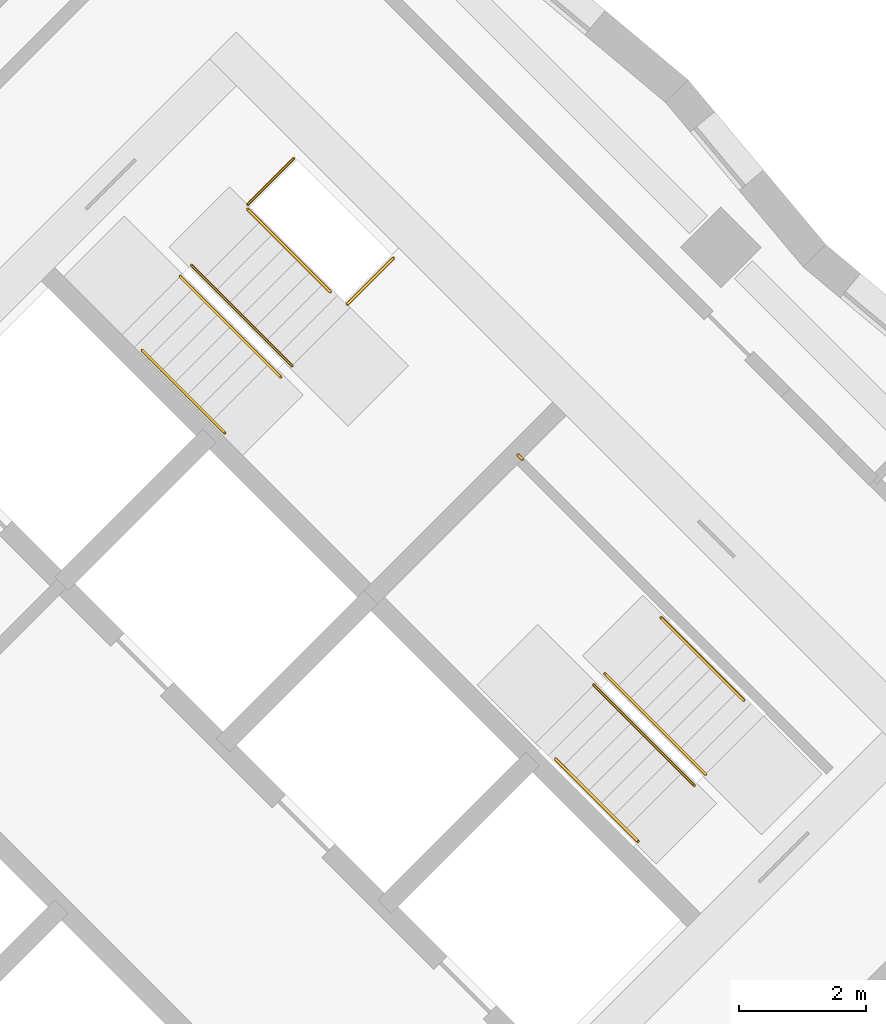
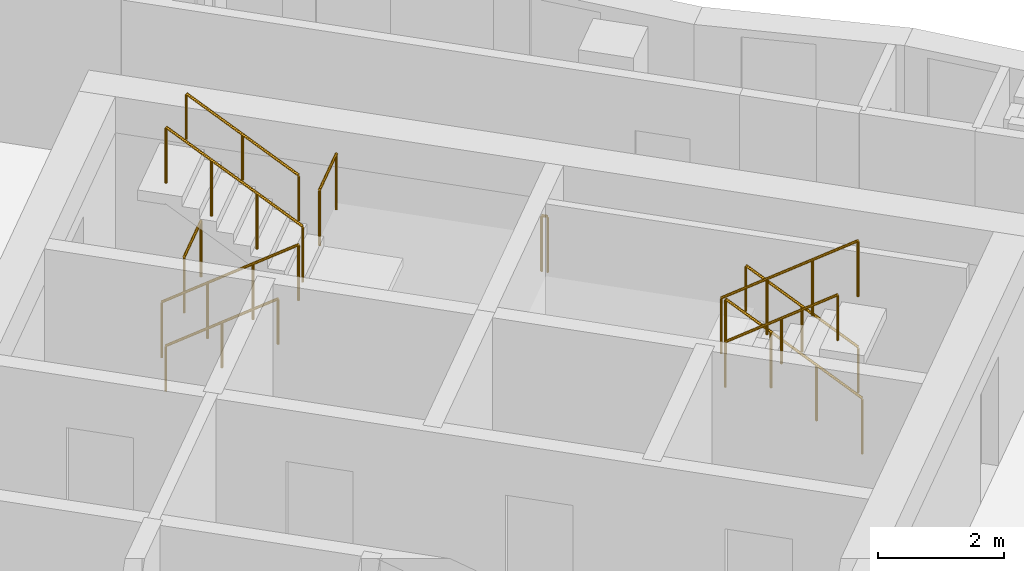
# One storey, part 12 of 12: 11 railings.
"""IFC4 building model written with IfcOpenShell, lengths in metres."""

from ifc_helpers import new_model, si_unit, direction, frame, origin, origin_2d, place, context, subcontext, project, spatial, circle, extrude, material, type_object, element, save


model = new_model("IFC4")

# Units and contexts
model_context = context("Model", 3, precision=1e-05, world=origin(), true_north=direction((0.0, 1.0)))
body_context = subcontext(model_context, "Body", "Model", "MODEL_VIEW")
ifc_project = project(units=[si_unit("LENGTHUNIT", "METRE"), si_unit("AREAUNIT", "SQUARE_METRE"), si_unit("VOLUMEUNIT", "CUBIC_METRE"), si_unit("PLANEANGLEUNIT", "RADIAN"), si_unit("MASSUNIT", "GRAM", prefix="KILO")], contexts=[model_context])

# Site, building, storey
site_placement = place(None, origin())
site = spatial("IfcSite", under=ifc_project, at=site_placement, CompositionType="ELEMENT")
building_placement = place(site_placement, origin())
building = spatial("IfcBuilding", under=site, at=building_placement, Name="Windrow Commons", CompositionType="ELEMENT")
storey_placement = place(building_placement, frame((0.0, 0.0, 135.4)))
storey = spatial("IfcBuildingStorey", under=building, at=storey_placement, Name="L36", CompositionType="ELEMENT", Elevation=135.4)

# Railings
ifc_material_1 = material(Name="Steel S355", Category="steel")
railing_type_1 = type_object("IfcRailingType", Name="Core stair guard 1100", PredefinedType="GUARDRAIL", material=ifc_material_1)
railing_1_placement = place(storey_placement, frame((85.9529, 56.2669, 0.1889)))
element("IfcRailing", 1, at=railing_1_placement, inside=storey, type_object=railing_type_1, Name="L36 ST-B1 stair guard 1", PredefinedType="GUARDRAIL", context=body_context, shape_type="SweptSolid", body=[
    extrude(circle(Radius=0.024, at=origin_2d()), frame((0.0, 0.0, 1.076), z_axis=(0.5861914914, -0.5861914914, 0.5592486664), x_axis=(0.7071067812, 0.7071067812, 0.0)), (0.0, 0.0, 1.0), 2.702),
    extrude(circle(Radius=0.021, at=origin_2d()), origin(), (0.0, 0.0, 1.0), 1.052),
    extrude(circle(Radius=0.021, at=origin_2d()), frame((0.528, -0.528, 0.5037)), (0.0, 0.0, 1.0), 1.052),
    extrude(circle(Radius=0.021, at=origin_2d()), frame((1.0559, -1.0559, 1.0074)), (0.0, 0.0, 1.0), 1.052),
    extrude(circle(Radius=0.021, at=origin_2d()), frame((1.5839, -1.5839, 1.5111)), (0.0, 0.0, 1.0), 1.052),
])
railing_2_placement = place(storey_placement, frame((87.7136, 54.8597, 1.8889)))
element("IfcRailing", 2, at=railing_2_placement, inside=storey, type_object=railing_type_1, Name="L36 ST-B1 stair guard 2", PredefinedType="GUARDRAIL", context=body_context, shape_type="SweptSolid", body=[
    extrude(circle(Radius=0.024, at=origin_2d()), frame((0.0, 0.0, 1.076), z_axis=(-0.5862030657, 0.5862030657, 0.5592244018), x_axis=(-0.7071067812, -0.7071067812, 0.0)), (0.0, 0.0, 1.0), 2.7021),
    extrude(circle(Radius=0.021, at=origin_2d()), origin(), (0.0, 0.0, 1.0), 1.052),
    extrude(circle(Radius=0.021, at=origin_2d()), frame((-0.528, 0.528, 0.5037)), (0.0, 0.0, 1.0), 1.052),
    extrude(circle(Radius=0.021, at=origin_2d()), frame((-1.056, 1.056, 1.0074)), (0.0, 0.0, 1.0), 1.052),
    extrude(circle(Radius=0.021, at=origin_2d()), frame((-1.584, 1.584, 1.5111)), (0.0, 0.0, 1.0), 1.052),
])
railing_3_placement = place(storey_placement, frame((87.0135, 57.3982, 0.0)))
element("IfcRailing", 3, at=railing_3_placement, inside=storey, type_object=railing_type_1, Name="L36 ST-B1 stair guard 3", PredefinedType="GUARDRAIL", context=body_context, shape_type="SweptSolid", body=[
    extrude(circle(Radius=0.024, at=origin_2d()), frame((0.0, 0.0, 1.076), z_axis=(0.7070582378, 0.7071553212, 0.0), x_axis=(-0.7071553212, 0.7070582378, 0.0)), (0.0, 0.0, 1.0), 1.03),
    extrude(circle(Radius=0.021, at=origin_2d()), origin(), (0.0, 0.0, 1.0), 1.052),
    extrude(circle(Radius=0.021, at=origin_2d()), frame((0.7283, 0.7284, 0.0)), (0.0, 0.0, 1.0), 1.052),
])
railing_4_placement = place(storey_placement, frame((88.5833, 55.8285, 1.7)))
element("IfcRailing", 4, at=railing_4_placement, inside=storey, type_object=railing_type_1, Name="L36 ST-B1 stair guard 4", PredefinedType="GUARDRAIL", context=body_context, shape_type="SweptSolid", body=[
    extrude(circle(Radius=0.024, at=origin_2d()), frame((0.0, 0.0, 1.076), z_axis=(0.7071067812, 0.7071067812, 0.0), x_axis=(-0.7071067812, 0.7071067812, 0.0)), (0.0, 0.0, 1.0), 1.03),
    extrude(circle(Radius=0.021, at=origin_2d()), origin(), (0.0, 0.0, 1.0), 1.052),
    extrude(circle(Radius=0.021, at=origin_2d()), frame((0.7283, 0.7283, 0.0)), (0.0, 0.0, 1.0), 1.052),
])
railing_5_placement = place(storey_placement, frame((94.2296, 48.4215, 0.1889)))
element("IfcRailing", 5, at=railing_5_placement, inside=storey, type_object=railing_type_1, Name="L36 ST-B2 stair guard 1", PredefinedType="GUARDRAIL", context=body_context, shape_type="SweptSolid", body=[
    extrude(circle(Radius=0.024, at=origin_2d()), frame((0.0, 0.0, 1.076), z_axis=(-0.5862157828, 0.5861787742, 0.5592365337), x_axis=(-0.7070844598, -0.7071291018, 0.0)), (0.0, 0.0, 1.0), 2.7021),
    extrude(circle(Radius=0.021, at=origin_2d()), origin(), (0.0, 0.0, 1.0), 1.052),
    extrude(circle(Radius=0.021, at=origin_2d()), frame((-0.528, 0.528, 0.5037)), (0.0, 0.0, 1.0), 1.052),
    extrude(circle(Radius=0.021, at=origin_2d()), frame((-1.056, 1.0559, 1.0074)), (0.0, 0.0, 1.0), 1.052),
    extrude(circle(Radius=0.021, at=origin_2d()), frame((-1.584, 1.5839, 1.5111)), (0.0, 0.0, 1.0), 1.052),
])
railing_6_placement = place(storey_placement, frame((92.4689, 49.8287, 1.8889)))
element("IfcRailing", 6, at=railing_6_placement, inside=storey, type_object=railing_type_1, Name="L36 ST-B2 stair guard 2", PredefinedType="GUARDRAIL", context=body_context, shape_type="SweptSolid", body=[
    extrude(circle(Radius=0.024, at=origin_2d()), frame((0.0, 0.0, 1.076), z_axis=(0.5861787742, -0.5862157828, 0.5592365337), x_axis=(0.7071291018, 0.7070844598, 0.0)), (0.0, 0.0, 1.0), 2.7021),
    extrude(circle(Radius=0.021, at=origin_2d()), origin(), (0.0, 0.0, 1.0), 1.052),
    extrude(circle(Radius=0.021, at=origin_2d()), frame((0.528, -0.528, 0.5037)), (0.0, 0.0, 1.0), 1.052),
    extrude(circle(Radius=0.021, at=origin_2d()), frame((1.0559, -1.056, 1.0074)), (0.0, 0.0, 1.0), 1.052),
    extrude(circle(Radius=0.021, at=origin_2d()), frame((1.5839, -1.584, 1.5111)), (0.0, 0.0, 1.0), 1.052),
])
railing_7_placement = place(storey_placement, frame((91.3446, 53.3854, 1.7)))
element("IfcRailing", 7, at=railing_7_placement, inside=storey, type_object=railing_type_1, Name="L36 ST-B2 stair guard 3", PredefinedType="GUARDRAIL", context=body_context, shape_type="SweptSolid", body=[
    extrude(circle(Radius=0.024, at=origin_2d()), frame((0.0, 0.0, 1.076), z_axis=(-0.7076063266, 0.7066068826, 0.0), x_axis=(-0.7066068826, -0.7076063266, 0.0)), (0.0, 0.0, 1.0), 0.1001),
    extrude(circle(Radius=0.021, at=origin_2d()), origin(), (0.0, 0.0, 1.0), 1.052),
    extrude(circle(Radius=0.021, at=origin_2d()), frame((-0.0708, 0.0707, 0.0)), (0.0, 0.0, 1.0), 1.052),
])
ifc_material_2 = material(Name="Steel S355", Category="steel")
railing_type_2 = type_object("IfcRailingType", Name="Core stair handrail 900", PredefinedType="HANDRAIL", material=ifc_material_2)
railing_8_placement = place(storey_placement, frame((85.3518, 55.1001, 0.4587)))
element("IfcRailing", 8, at=railing_8_placement, inside=storey, type_object=railing_type_2, Name="L36 ST-B1 stair handrail 1", PredefinedType="HANDRAIL", context=body_context, shape_type="SweptSolid", body=[
    extrude(circle(Radius=0.024, at=origin_2d()), frame((0.0, 0.0, 0.876), z_axis=(0.586206706, -0.5861616513, 0.5592639952), x_axis=(0.7070796062, 0.7071339551, 0.0)), (0.0, 0.0, 1.0), 2.2195),
    extrude(circle(Radius=0.021, at=origin_2d()), origin(), (0.0, 0.0, 1.0), 0.852),
    extrude(circle(Radius=0.021, at=origin_2d()), frame((0.6506, -0.6505, 0.6206)), (0.0, 0.0, 1.0), 0.852),
    extrude(circle(Radius=0.021, at=origin_2d()), frame((1.3011, -1.301, 1.2413)), (0.0, 0.0, 1.0), 0.852),
])
railing_9_placement = place(storey_placement, frame((88.3146, 56.0265, 2.1587)))
element("IfcRailing", 9, at=railing_9_placement, inside=storey, type_object=railing_type_2, Name="L36 ST-B1 stair handrail 2", PredefinedType="HANDRAIL", context=body_context, shape_type="SweptSolid", body=[
    extrude(circle(Radius=0.024, at=origin_2d()), frame((0.0, 0.0, 0.876), z_axis=(-0.586206706, 0.5861616513, 0.5592639952), x_axis=(-0.7070796062, -0.7071339551, 0.0)), (0.0, 0.0, 1.0), 2.2195),
    extrude(circle(Radius=0.021, at=origin_2d()), origin(), (0.0, 0.0, 1.0), 0.852),
    extrude(circle(Radius=0.021, at=origin_2d()), frame((-0.6506, 0.6505, 0.6207)), (0.0, 0.0, 1.0), 0.852),
    extrude(circle(Radius=0.021, at=origin_2d()), frame((-1.3011, 1.301, 1.2413)), (0.0, 0.0, 1.0), 0.852),
])
railing_10_placement = place(storey_placement, frame((94.8306, 49.5883, 0.4587)))
element("IfcRailing", 10, at=railing_10_placement, inside=storey, type_object=railing_type_2, Name="L36 ST-B2 stair handrail 1", PredefinedType="HANDRAIL", context=body_context, shape_type="SweptSolid", body=[
    extrude(circle(Radius=0.024, at=origin_2d()), frame((0.0, 0.0, 0.876), z_axis=(-0.586206706, 0.5861616513, 0.5592639952), x_axis=(-0.7070796062, -0.7071339551, 0.0)), (0.0, 0.0, 1.0), 2.2195),
    extrude(circle(Radius=0.021, at=origin_2d()), origin(), (0.0, 0.0, 1.0), 0.852),
    extrude(circle(Radius=0.021, at=origin_2d()), frame((-0.6506, 0.6505, 0.6206)), (0.0, 0.0, 1.0), 0.852),
    extrude(circle(Radius=0.021, at=origin_2d()), frame((-1.3011, 1.301, 1.2413)), (0.0, 0.0, 1.0), 0.852),
])
railing_11_placement = place(storey_placement, frame((91.8678, 48.6619, 2.1587)))
element("IfcRailing", 11, at=railing_11_placement, inside=storey, type_object=railing_type_2, Name="L36 ST-B2 stair handrail 2", PredefinedType="HANDRAIL", context=body_context, shape_type="SweptSolid", body=[
    extrude(circle(Radius=0.024, at=origin_2d()), frame((0.0, 0.0, 0.876), z_axis=(0.586206706, -0.5861616513, 0.5592639952), x_axis=(0.7070796062, 0.7071339551, 0.0)), (0.0, 0.0, 1.0), 2.2195),
    extrude(circle(Radius=0.021, at=origin_2d()), origin(), (0.0, 0.0, 1.0), 0.852),
    extrude(circle(Radius=0.021, at=origin_2d()), frame((0.6505, -0.6505, 0.6207)), (0.0, 0.0, 1.0), 0.852),
    extrude(circle(Radius=0.021, at=origin_2d()), frame((1.3011, -1.301, 1.2413)), (0.0, 0.0, 1.0), 0.852),
])

save(model, "model.ifc")
